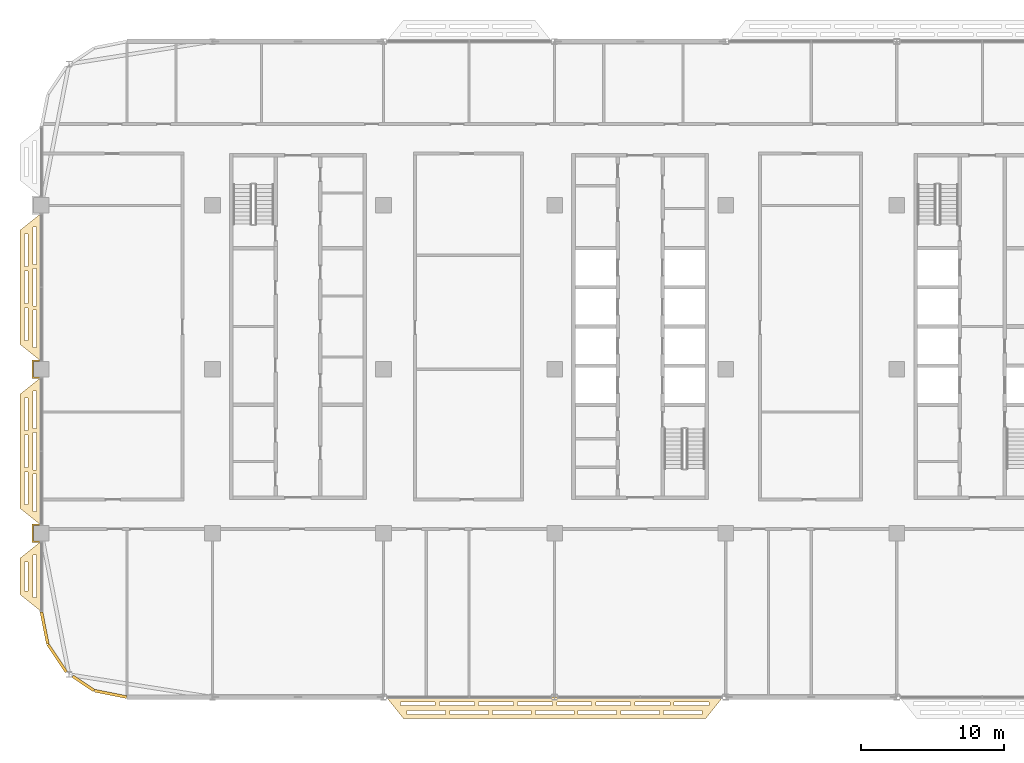
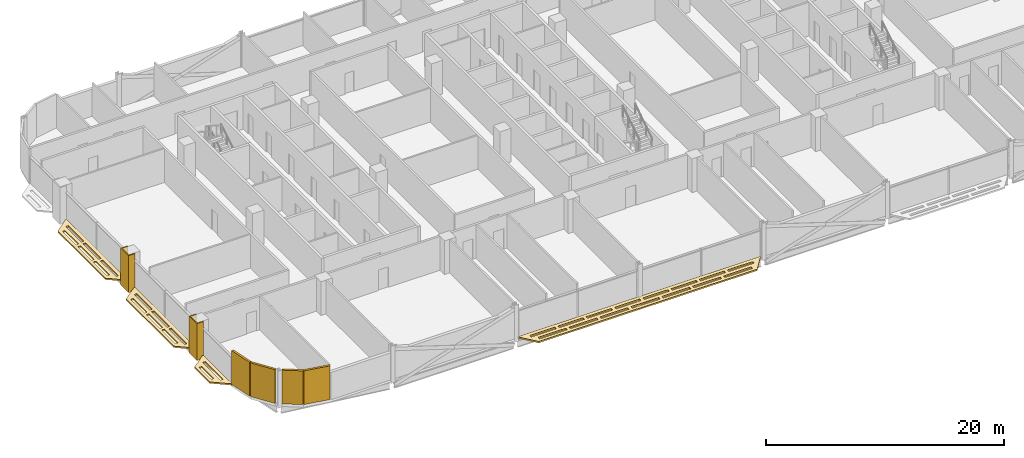
# One storey, part 25 of 30: 10 coverings.
"""IFC4 building model written with IfcOpenShell, lengths in metres."""

from ifc_helpers import new_model, si_unit, direction, frame, origin, origin_2d, place, context, subcontext, project, spatial, polyline, rectangle, outline, extrude, material, layer, layer_set, type_object, element, save


model = new_model("IFC4")

# Units and contexts
model_context = context("Model", 3, precision=1e-05, world=origin(), true_north=direction((0.0, 1.0)))
body_context = subcontext(model_context, "Body", "Model", "MODEL_VIEW")
ifc_project = project(units=[si_unit("LENGTHUNIT", "METRE"), si_unit("AREAUNIT", "SQUARE_METRE"), si_unit("VOLUMEUNIT", "CUBIC_METRE"), si_unit("PLANEANGLEUNIT", "RADIAN"), si_unit("MASSUNIT", "GRAM", prefix="KILO")], contexts=[model_context])

# Site, building, storey
site_placement = place(None, origin())
site = spatial("IfcSite", under=ifc_project, at=site_placement, CompositionType="ELEMENT")
building_placement = place(site_placement, origin())
building = spatial("IfcBuilding", under=site, at=building_placement, Name="Mahtab Terrace Research Tower", CompositionType="ELEMENT")
storey_placement = place(building_placement, frame((0.0, 0.0, 212.89990234375)))
storey = spatial("IfcBuildingStorey", under=building, at=storey_placement, Name="L51", CompositionType="ELEMENT", Elevation=212.89990234375)

# Coverings
ifc_material_1 = material(Name="Black aluminium cladding panel", Category="aluminium")
ifc_layer_1 = layer(ifc_material_1, 0.199951171875)
ifc_layer_set_1 = layer_set([ifc_layer_1], Name="Black metal corner cladding 200")
covering_type_1 = type_object("IfcCoveringType", Name="Black metal corner cladding 200", PredefinedType="CLADDING", material=ifc_layer_set_1)
for number, where, z_axis, x_axis, name in (
    (1, (-41.771484375, -18.14794921875, 0.0), (0.0, 0.0, 1.0), (0.195212442692, -0.980760981187, 0.0), "Corner cladding L51 19"),
    (2, (-40.89306640625, -20.26953125, 0.0), (0.0, 0.0, 1.0), (0.555291490808, -0.831655794326, 0.0), "Corner cladding L51 20"),
):
    element("IfcCovering", number, at=place(storey_placement, frame(where, z_axis=z_axis, x_axis=x_axis)), inside=storey, type_object=covering_type_1, Name=name, PredefinedType="CLADDING", context=body_context, shape_type="SweptSolid", body=[
        extrude(rectangle(XDim=2.30126953125, YDim=0.199951171875, at=origin_2d()), origin(), (0.0, 0.0, 1.0), 3.4599609375),
    ])
covering_1_placement = place(storey_placement, frame((-39.059814453125, -22.032958984375, 0.0), z_axis=(0.0, 0.0, 1.0), x_axis=(0.831655794326, -0.555291490808, 0.0)))
element("IfcCovering", 3, at=covering_1_placement, inside=storey, type_object=covering_type_1, Name="Corner cladding L51 21", PredefinedType="CLADDING", context=body_context, shape_type="SweptSolid", body=[
    extrude(rectangle(XDim=1.797119140625, YDim=0.199951171875, at=origin_2d()), origin(), (0.0, 0.0, 1.0), 3.4599609375),
])
covering_2_placement = place(storey_placement, frame((-37.14794921875, -22.771484375, 0.0), z_axis=(0.0, 0.0, 1.0), x_axis=(0.980760981187, -0.195212442692, 0.0)))
element("IfcCovering", 4, at=covering_2_placement, inside=storey, type_object=covering_type_1, Name="Corner cladding L51 22", PredefinedType="CLADDING", context=body_context, shape_type="SweptSolid", body=[
    extrude(rectangle(XDim=2.30126953125, YDim=0.199951171875, at=origin_2d()), origin(), (0.0, 0.0, 1.0), 3.4599609375),
])
ifc_material_2 = material(Name="Dark anodised aluminium cladding", Category="aluminium")
ifc_layer_2 = layer(ifc_material_2, 0.10009765625)
ifc_layer_set_2 = layer_set([ifc_layer_2], Name="Column casing 100")
covering_type_2 = type_object("IfcCoveringType", Name="Column casing 100", PredefinedType="CLADDING", material=ifc_layer_set_2)
covering_3_placement = place(storey_placement, frame((0.0, 0.0, -0.33984375)))
element("IfcCovering", 5, at=covering_3_placement, inside=storey, type_object=covering_type_2, Name="Column casing RC-1A L51", PredefinedType="CLADDING", context=body_context, shape_type="SweptSolid", body=[
    extrude(outline(polyline([(-42.64990234375, -10.85009765625), (-42.0, -10.85009765625), (-42.0, -10.949951171875), (-42.550048828125, -10.949951171875), (-42.550048828125, -12.050048828125), (-42.0, -12.050048828125), (-42.0, -12.14990234375), (-42.64990234375, -12.14990234375), (-42.64990234375, -10.85009765625)])), origin(), (0.0, 0.0, 1.0), 3.800048828125),
])
covering_4_placement = place(storey_placement, frame((0.0, 0.0, -0.33984375)))
element("IfcCovering", 6, at=covering_4_placement, inside=storey, type_object=covering_type_2, Name="Column casing RC-1B L51", PredefinedType="CLADDING", context=body_context, shape_type="SweptSolid", body=[
    extrude(outline(polyline([(-42.64990234375, 0.64990234375), (-42.0, 0.64990234375), (-42.0, 0.550048828125), (-42.550048828125, 0.550048828125), (-42.550048828125, -0.550048828125), (-42.0, -0.550048828125), (-42.0, -0.64990234375), (-42.64990234375, -0.64990234375), (-42.64990234375, 0.64990234375)])), origin(), (0.0, 0.0, 1.0), 3.800048828125),
])
ifc_material_3 = material(Name="Black anodised aluminium", Category="aluminium")
ifc_layer_3 = layer(ifc_material_3, 0.14990234375)
ifc_layer_set_3 = layer_set([ifc_layer_3], Name="Horizontal sunshade band")
covering_type_3 = type_object("IfcCoveringType", Name="Horizontal sunshade band", PredefinedType="CLADDING", material=ifc_layer_set_3)
covering_5_placement = place(storey_placement, frame((0.0, 0.0, -0.14990234375)))
element("IfcCovering", 7, at=covering_5_placement, inside=storey, type_object=covering_type_3, Name="Sunshade band L51 16", PredefinedType="CLADDING", context=body_context, shape_type="SweptSolid", body=[
    extrude(outline(polyline([(-42.0, 10.949951171875), (-42.0, 0.550048828125), (-43.5, 1.75), (-43.5, 9.75), (-42.0, 10.949951171875)]), holes=[polyline([(-42.35009765625, 9.969970703125), (-42.35009765625, 7.35693359375), (-42.60009765625, 7.35693359375), (-42.60009765625, 9.969970703125), (-42.35009765625, 9.969970703125)]), polyline([(-42.35009765625, 7.056884765625), (-42.35009765625, 4.443115234375), (-42.60009765625, 4.443115234375), (-42.60009765625, 7.056884765625), (-42.35009765625, 7.056884765625)]), polyline([(-42.35009765625, 4.14306640625), (-42.35009765625, 1.530029296875), (-42.60009765625, 1.530029296875), (-42.60009765625, 4.14306640625), (-42.35009765625, 4.14306640625)]), polyline([(-42.949951171875, 9.489990234375), (-42.949951171875, 7.197021484375), (-43.199951171875, 7.197021484375), (-43.199951171875, 9.489990234375), (-42.949951171875, 9.489990234375)]), polyline([(-42.949951171875, 6.89697265625), (-42.949951171875, 4.60302734375), (-43.199951171875, 4.60302734375), (-43.199951171875, 6.89697265625), (-42.949951171875, 6.89697265625)]), polyline([(-42.949951171875, 4.302978515625), (-42.949951171875, 2.010009765625), (-43.199951171875, 2.010009765625), (-43.199951171875, 4.302978515625), (-42.949951171875, 4.302978515625)])]), origin(), (0.0, 0.0, 1.0), 0.14990234375),
])
covering_6_placement = place(storey_placement, frame((0.0, 0.0, -0.14990234375)))
element("IfcCovering", 8, at=covering_6_placement, inside=storey, type_object=covering_type_3, Name="Sunshade band L51 17", PredefinedType="CLADDING", context=body_context, shape_type="SweptSolid", body=[
    extrude(outline(polyline([(-42.0, -0.550048828125), (-42.0, -10.949951171875), (-43.5, -9.75), (-43.5, -1.75), (-42.0, -0.550048828125)]), holes=[polyline([(-42.35009765625, -1.530029296875), (-42.35009765625, -4.14306640625), (-42.60009765625, -4.14306640625), (-42.60009765625, -1.530029296875), (-42.35009765625, -1.530029296875)]), polyline([(-42.35009765625, -4.443115234375), (-42.35009765625, -7.056884765625), (-42.60009765625, -7.056884765625), (-42.60009765625, -4.443115234375), (-42.35009765625, -4.443115234375)]), polyline([(-42.35009765625, -7.35693359375), (-42.35009765625, -9.969970703125), (-42.60009765625, -9.969970703125), (-42.60009765625, -7.35693359375), (-42.35009765625, -7.35693359375)]), polyline([(-42.949951171875, -2.010009765625), (-42.949951171875, -4.302978515625), (-43.199951171875, -4.302978515625), (-43.199951171875, -2.010009765625), (-42.949951171875, -2.010009765625)]), polyline([(-42.949951171875, -4.60302734375), (-42.949951171875, -6.89697265625), (-43.199951171875, -6.89697265625), (-43.199951171875, -4.60302734375), (-42.949951171875, -4.60302734375)]), polyline([(-42.949951171875, -7.197021484375), (-42.949951171875, -9.489990234375), (-43.199951171875, -9.489990234375), (-43.199951171875, -7.197021484375), (-42.949951171875, -7.197021484375)])]), origin(), (0.0, 0.0, 1.0), 0.14990234375),
])
covering_7_placement = place(storey_placement, frame((0.0, 0.0, -0.14990234375)))
element("IfcCovering", 9, at=covering_7_placement, inside=storey, type_object=covering_type_3, Name="Sunshade band L51 18", PredefinedType="CLADDING", context=body_context, shape_type="SweptSolid", body=[
    extrude(outline(polyline([(-42.0, -12.050048828125), (-42.0, -17.0), (-43.5, -15.800048828125), (-43.5, -13.25), (-42.0, -12.050048828125)]), holes=[polyline([(-42.35009765625, -13.030029296875), (-42.35009765625, -16.02001953125), (-42.60009765625, -16.02001953125), (-42.60009765625, -13.030029296875), (-42.35009765625, -13.030029296875)]), polyline([(-42.949951171875, -13.510009765625), (-42.949951171875, -15.5400390625), (-43.199951171875, -15.5400390625), (-43.199951171875, -13.510009765625), (-42.949951171875, -13.510009765625)])]), origin(), (0.0, 0.0, 1.0), 0.14990234375),
])
covering_8_placement = place(storey_placement, frame((0.0, 0.0, -0.14990234375)))
element("IfcCovering", 10, at=covering_8_placement, inside=storey, type_object=covering_type_3, Name="Sunshade band L51 25", PredefinedType="CLADDING", context=body_context, shape_type="SweptSolid", body=[
    extrude(outline(polyline([(-17.800048828125, -23.0), (5.800048828125, -23.0), (4.60009765625, -24.5), (-16.60009765625, -24.5), (-17.800048828125, -23.0)]), holes=[polyline([(-16.820068359375, -23.35009765625), (-14.3779296875, -23.35009765625), (-14.3779296875, -23.60009765625), (-16.820068359375, -23.60009765625), (-16.820068359375, -23.35009765625)]), polyline([(-14.077880859375, -23.35009765625), (-11.635009765625, -23.35009765625), (-11.635009765625, -23.60009765625), (-14.077880859375, -23.60009765625), (-14.077880859375, -23.35009765625)]), polyline([(-11.3349609375, -23.35009765625), (-8.89306640625, -23.35009765625), (-8.89306640625, -23.60009765625), (-11.3349609375, -23.60009765625), (-11.3349609375, -23.35009765625)]), polyline([(-8.593017578125, -23.35009765625), (-6.14990234375, -23.35009765625), (-6.14990234375, -23.60009765625), (-8.593017578125, -23.60009765625), (-8.593017578125, -23.35009765625)]), polyline([(-5.85009765625, -23.35009765625), (-3.406982421875, -23.35009765625), (-3.406982421875, -23.60009765625), (-5.85009765625, -23.60009765625), (-5.85009765625, -23.35009765625)]), polyline([(-3.10791015625, -23.35009765625), (-0.6650390625, -23.35009765625), (-0.6650390625, -23.60009765625), (-3.10791015625, -23.60009765625), (-3.10791015625, -23.35009765625)]), polyline([(-0.364990234375, -23.35009765625), (2.077880859375, -23.35009765625), (2.077880859375, -23.60009765625), (-0.364990234375, -23.60009765625), (-0.364990234375, -23.35009765625)]), polyline([(2.376953125, -23.35009765625), (4.820068359375, -23.35009765625), (4.820068359375, -23.60009765625), (2.376953125, -23.60009765625), (2.376953125, -23.35009765625)]), polyline([(-16.340087890625, -23.949951171875), (-13.64306640625, -23.949951171875), (-13.64306640625, -24.199951171875), (-16.340087890625, -24.199951171875), (-16.340087890625, -23.949951171875)]), polyline([(-13.343017578125, -23.949951171875), (-10.64599609375, -23.949951171875), (-10.64599609375, -24.199951171875), (-13.343017578125, -24.199951171875), (-13.343017578125, -23.949951171875)]), polyline([(-10.345947265625, -23.949951171875), (-7.64892578125, -23.949951171875), (-7.64892578125, -24.199951171875), (-10.345947265625, -24.199951171875), (-10.345947265625, -23.949951171875)]), polyline([(-7.34912109375, -23.949951171875), (-4.65087890625, -23.949951171875), (-4.65087890625, -24.199951171875), (-7.34912109375, -24.199951171875), (-7.34912109375, -23.949951171875)]), polyline([(-4.35107421875, -23.949951171875), (-1.654052734375, -23.949951171875), (-1.654052734375, -24.199951171875), (-4.35107421875, -24.199951171875), (-4.35107421875, -23.949951171875)]), polyline([(-1.35400390625, -23.949951171875), (1.343017578125, -23.949951171875), (1.343017578125, -24.199951171875), (-1.35400390625, -24.199951171875), (-1.35400390625, -23.949951171875)]), polyline([(1.64306640625, -23.949951171875), (4.340087890625, -23.949951171875), (4.340087890625, -24.199951171875), (1.64306640625, -24.199951171875), (1.64306640625, -23.949951171875)])]), origin(), (0.0, 0.0, 1.0), 0.14990234375),
])

save(model, "model.ifc")
